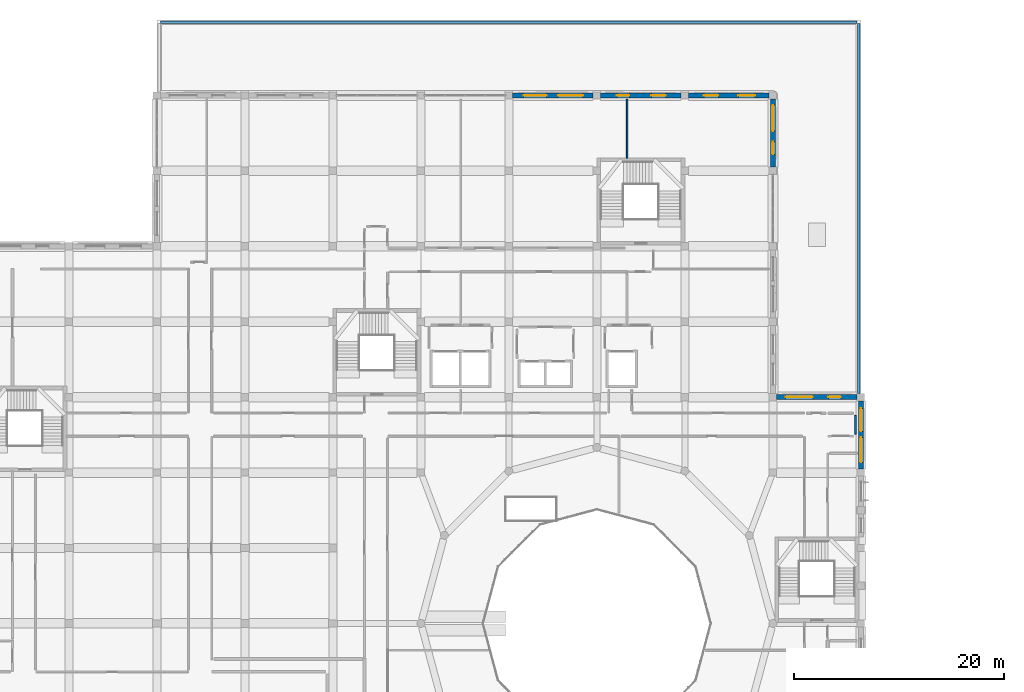
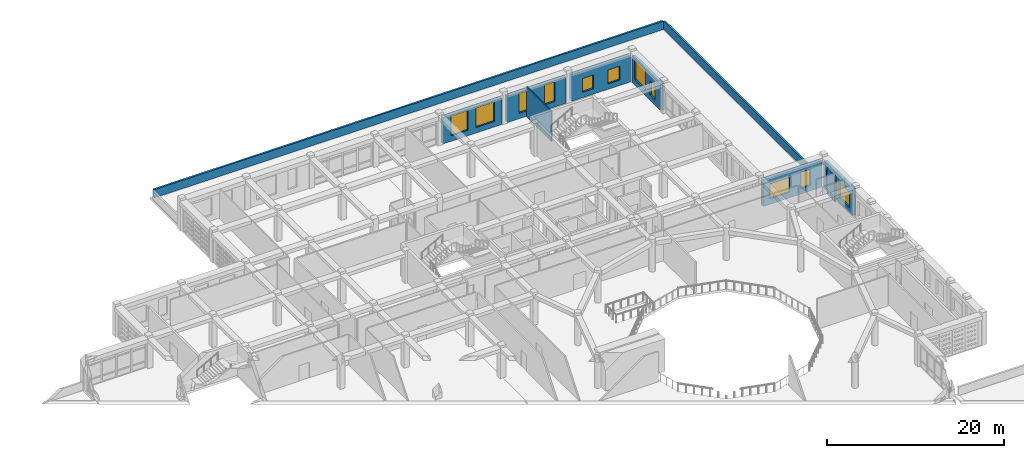
# One storey, part 65 of 100: 12 windows, 10 walls, 12 openings.
"""IFC4 building model written with IfcOpenShell, lengths in metres."""

from ifc_helpers import new_model, si_unit, derived_unit, direction, frame, frame_2d, origin, place, context, subcontext, project, spatial, rectangle, extrude, material, layer, layer_set, type_object, element, fill, save


model = new_model("IFC4")

# Units and contexts
model_context = context("Model", 3, precision=1e-05, world=origin(), true_north=direction((0.0, 1.0)))
body_context = subcontext(model_context, "Body", "Model", "MODEL_VIEW")
ifc_project = project(units=[si_unit("LENGTHUNIT", "METRE"), si_unit("AREAUNIT", "SQUARE_METRE"), si_unit("VOLUMEUNIT", "CUBIC_METRE"), si_unit("PLANEANGLEUNIT", "RADIAN"), si_unit("MASSUNIT", "GRAM", prefix="KILO"), derived_unit("THERMALTRANSMITTANCEUNIT", [(si_unit("POWERUNIT", "WATT"), 1), (si_unit("LENGTHUNIT", "METRE"), -2), (si_unit("THERMODYNAMICTEMPERATUREUNIT", "KELVIN"), -1)])], contexts=[model_context])

# Site, building, storey
site_placement = place(None, origin())
site = spatial("IfcSite", under=ifc_project, at=site_placement, CompositionType="ELEMENT")
building_placement = place(site_placement, origin())
building = spatial("IfcBuilding", under=site, at=building_placement, Name="Veybourne Emporium", CompositionType="ELEMENT")
storey_placement = place(building_placement, frame((0.0, 0.0, 14.39990234375)))
storey = spatial("IfcBuildingStorey", under=building, at=storey_placement, Name="L03", CompositionType="ELEMENT", Elevation=14.39990234375)

# Wall, openings, windows
ifc_material_1 = material(Name="Portland Limestone Ashlar", Category="masonry")
ifc_layer_1 = layer(ifc_material_1, 0.47998046875)
ifc_layer_set_1 = layer_set([ifc_layer_1], Name="Portland Limestone Ashlar")
wall_type_1 = type_object("IfcWallType", Name="ExtWall_EW-01", PredefinedType="SOLIDWALL", material=ifc_layer_set_1)
wall_1_placement = place(storey_placement, frame((67.550048828125, 100.800048828125, 0.0), z_axis=(0.0, 0.0, 1.0), x_axis=(1.0, 0.0, 0.0)))
wall_1 = element("IfcWall", 1, at=wall_1_placement, inside=storey, type_object=wall_type_1, Name="L03 Portland stone external wall 038", PredefinedType="SOLIDWALL", context=body_context, shape_type="SweptSolid", body=[
    extrude(rectangle(XDim=7.699951171875, YDim=0.47998046875, at=frame_2d((3.85009765625, 0.0))), origin(), (0.0, 0.0, 1.0), 3.630126953125),
])
opening_1_placement = place(wall_1_placement, frame((1.055908203125, 0.0, 0.75)))
opening_1 = element("IfcOpeningElement", 2, at=opening_1_placement, cuts=wall_1, Name="Opening W-46", PredefinedType="OPENING", context=body_context, shape_type="SweptSolid", body=[
    extrude(rectangle(XDim=2.199951171875, YDim=2.72998046875, at=frame_2d((1.10009765625, 1.364990234375))), frame((0.0, 0.260009765625, 0.0), z_axis=(0.0, -1.0, 0.0), x_axis=(1.0, 0.0, 0.0)), (0.0, 0.0, 1.0), 0.52001953125),
])
opening_2_placement = place(wall_1_placement, frame((4.343994140625, 0.0, 0.75)))
opening_2 = element("IfcOpeningElement", 3, at=opening_2_placement, cuts=wall_1, Name="Opening W-47", PredefinedType="OPENING", context=body_context, shape_type="SweptSolid", body=[
    extrude(rectangle(XDim=2.39990234375, YDim=2.72998046875, at=frame_2d((1.199951171875, 1.364990234375))), frame((0.0, 0.260009765625, 0.0), z_axis=(0.0, -1.0, 0.0), x_axis=(1.0, 0.0, 0.0)), (0.0, 0.0, 1.0), 0.52001953125),
])
ifc_material_2 = material(Name="Low-E Triple Glazing", Category="glass")
window_type_1 = type_object("IfcWindowType", Name="Win_W-46", PartitioningType="TRIPLE_PANEL_VERTICAL", PredefinedType="WINDOW", material=ifc_material_2)
window_1_placement = place(opening_1_placement, origin())
window_1 = element("IfcWindow", 4, at=window_1_placement, inside=storey, type_object=window_type_1, Name="L03 tripartite bronze casement window W-46 (38.1)", OverallHeight=2.72998046875, OverallWidth=2.199951171875, PartitioningType="TRIPLE_PANEL_VERTICAL", PredefinedType="WINDOW", context=body_context, shape_type="SweptSolid", body=[
    extrude(rectangle(XDim=2.199951171875, YDim=2.72998046875, at=frame_2d((1.10009765625, 1.364990234375))), frame((0.0, 0.030029296875, 0.0), z_axis=(0.0, -1.0, 0.0), x_axis=(1.0, 0.0, 0.0)), (0.0, 0.0, 1.0), 0.06005859375),
])
fill(opening_1, window_1)
window_type_2 = type_object("IfcWindowType", Name="Win_W-47", PartitioningType="TRIPLE_PANEL_VERTICAL", PredefinedType="WINDOW", material=ifc_material_2)
window_2_placement = place(opening_2_placement, origin())
window_2 = element("IfcWindow", 5, at=window_2_placement, inside=storey, type_object=window_type_2, Name="L03 tripartite bronze casement window W-47 (38.2)", OverallHeight=2.72998046875, OverallWidth=2.39990234375, PartitioningType="TRIPLE_PANEL_VERTICAL", PredefinedType="WINDOW", context=body_context, shape_type="SweptSolid", body=[
    extrude(rectangle(XDim=2.39990234375, YDim=2.72998046875, at=frame_2d((1.199951171875, 1.364990234375))), frame((0.0, 0.030029296875, 0.0), z_axis=(0.0, -1.0, 0.0), x_axis=(1.0, 0.0, 0.0)), (0.0, 0.0, 1.0), 0.06005859375),
])
fill(opening_2, window_2)

wall_2_placement = place(storey_placement, frame((75.949951171875, 100.800048828125, 0.0), z_axis=(0.0, 0.0, 1.0), x_axis=(1.0, 0.0, 0.0)))
wall_2 = element("IfcWall", 6, at=wall_2_placement, inside=storey, type_object=wall_type_1, Name="L03 Portland stone external wall 040", PredefinedType="SOLIDWALL", context=body_context, shape_type="SweptSolid", body=[
    extrude(rectangle(XDim=7.699951171875, YDim=0.47998046875, at=frame_2d((3.85009765625, 0.0))), origin(), (0.0, 0.0, 1.0), 3.630126953125),
])
opening_3_placement = place(wall_2_placement, frame((1.555908203125, 0.0, 0.75)))
opening_3 = element("IfcOpeningElement", 7, at=opening_3_placement, cuts=wall_2, Name="Opening W-49", PredefinedType="OPENING", context=body_context, shape_type="SweptSolid", body=[
    extrude(rectangle(XDim=1.199951171875, YDim=2.72998046875, at=frame_2d((0.60009765625, 1.364990234375))), frame((0.0, 0.260009765625, 0.0), z_axis=(0.0, -1.0, 0.0), x_axis=(1.0, 0.0, 0.0)), (0.0, 0.0, 1.0), 0.52001953125),
])
opening_4_placement = place(wall_2_placement, frame((4.843994140625, 0.0, 0.75)))
opening_4 = element("IfcOpeningElement", 8, at=opening_4_placement, cuts=wall_2, Name="Opening W-50", PredefinedType="OPENING", context=body_context, shape_type="SweptSolid", body=[
    extrude(rectangle(XDim=1.39990234375, YDim=2.72998046875, at=frame_2d((0.699951171875, 1.364990234375))), frame((0.0, 0.260009765625, 0.0), z_axis=(0.0, -1.0, 0.0), x_axis=(1.0, 0.0, 0.0)), (0.0, 0.0, 1.0), 0.52001953125),
])
window_type_3 = type_object("IfcWindowType", Name="Win_W-49", PartitioningType="SINGLE_PANEL", PredefinedType="WINDOW", material=ifc_material_2)
window_3_placement = place(opening_3_placement, origin())
window_3 = element("IfcWindow", 9, at=window_3_placement, inside=storey, type_object=window_type_3, Name="L03 tripartite bronze casement window W-49 (40.1)", OverallHeight=2.72998046875, OverallWidth=1.199951171875, PartitioningType="SINGLE_PANEL", PredefinedType="WINDOW", context=body_context, shape_type="SweptSolid", body=[
    extrude(rectangle(XDim=1.199951171875, YDim=2.72998046875, at=frame_2d((0.60009765625, 1.364990234375))), frame((0.0, 0.030029296875, 0.0), z_axis=(0.0, -1.0, 0.0), x_axis=(1.0, 0.0, 0.0)), (0.0, 0.0, 1.0), 0.06005859375),
])
fill(opening_3, window_3)
window_type_4 = type_object("IfcWindowType", Name="Win_W-50", PartitioningType="DOUBLE_PANEL_VERTICAL", PredefinedType="WINDOW", material=ifc_material_2)
window_4_placement = place(opening_4_placement, origin())
window_4 = element("IfcWindow", 10, at=window_4_placement, inside=storey, type_object=window_type_4, Name="L03 tripartite bronze casement window W-50 (40.2)", OverallHeight=2.72998046875, OverallWidth=1.39990234375, PartitioningType="DOUBLE_PANEL_VERTICAL", PredefinedType="WINDOW", context=body_context, shape_type="SweptSolid", body=[
    extrude(rectangle(XDim=1.39990234375, YDim=2.72998046875, at=frame_2d((0.699951171875, 1.364990234375))), frame((0.0, 0.030029296875, 0.0), z_axis=(0.0, -1.0, 0.0), x_axis=(1.0, 0.0, 0.0)), (0.0, 0.0, 1.0), 0.06005859375),
])
fill(opening_4, window_4)

wall_3_placement = place(storey_placement, frame((92.39990234375, 100.449951171875, 0.0), z_axis=(0.0, 0.0, 1.0), x_axis=(0.0, -1.0, 0.0)))
wall_3 = element("IfcWall", 11, at=wall_3_placement, inside=storey, type_object=wall_type_1, Name="L03 Portland stone external wall 046", PredefinedType="SOLIDWALL", context=body_context, shape_type="SweptSolid", body=[
    extrude(rectangle(XDim=6.5, YDim=0.47998046875, at=frame_2d((3.25, 0.0))), origin(), (0.0, 0.0, 1.0), 3.630126953125),
])
opening_5_placement = place(wall_3_placement, frame((0.5849609375, 0.0, 0.75)))
opening_5 = element("IfcOpeningElement", 12, at=opening_5_placement, cuts=wall_3, Name="Opening W-56", PredefinedType="OPENING", context=body_context, shape_type="SweptSolid", body=[
    extrude(rectangle(XDim=2.469970703125, YDim=2.72998046875, at=frame_2d((1.23486328125, 1.364990234375))), frame((0.0, 0.260009765625, 0.0), z_axis=(0.0, -1.0, 0.0), x_axis=(1.0, 0.0, 0.0)), (0.0, 0.0, 1.0), 0.52001953125),
])
opening_6_placement = place(wall_3_placement, frame((4.080078125, 0.0, 0.75)))
opening_6 = element("IfcOpeningElement", 13, at=opening_6_placement, cuts=wall_3, Name="Opening W-01", PredefinedType="OPENING", context=body_context, shape_type="SweptSolid", body=[
    extrude(rectangle(XDim=1.199951171875, YDim=1.89990234375, at=frame_2d((0.60009765625, 0.949951171875))), frame((0.0, 0.260009765625, 0.0), z_axis=(0.0, -1.0, 0.0), x_axis=(1.0, 0.0, 0.0)), (0.0, 0.0, 1.0), 0.52001953125),
])
window_type_5 = type_object("IfcWindowType", Name="Win_W-01", PartitioningType="SINGLE_PANEL", PredefinedType="WINDOW", material=ifc_material_2)
window_5_placement = place(opening_6_placement, origin())
window_5 = element("IfcWindow", 14, at=window_5_placement, inside=storey, type_object=window_type_5, Name="L03 tripartite bronze casement window W-01 (46.2)", OverallHeight=1.89990234375, OverallWidth=1.199951171875, PartitioningType="SINGLE_PANEL", PredefinedType="WINDOW", context=body_context, shape_type="SweptSolid", body=[
    extrude(rectangle(XDim=1.199951171875, YDim=1.89990234375, at=frame_2d((0.60009765625, 0.949951171875))), frame((0.0, 0.030029296875, 0.0), z_axis=(0.0, -1.0, 0.0), x_axis=(1.0, 0.0, 0.0)), (0.0, 0.0, 1.0), 0.06005859375),
])
fill(opening_6, window_5)
window_type_6 = type_object("IfcWindowType", Name="Win_W-56", PartitioningType="TRIPLE_PANEL_VERTICAL", PredefinedType="WINDOW", material=ifc_material_2)
window_6_placement = place(opening_5_placement, origin())
window_6 = element("IfcWindow", 15, at=window_6_placement, inside=storey, type_object=window_type_6, Name="L03 tripartite bronze casement window W-56 (46.1)", OverallHeight=2.72998046875, OverallWidth=2.469970703125, PartitioningType="TRIPLE_PANEL_VERTICAL", PredefinedType="WINDOW", context=body_context, shape_type="SweptSolid", body=[
    extrude(rectangle(XDim=2.469970703125, YDim=2.72998046875, at=frame_2d((1.23486328125, 1.364990234375))), frame((0.0, 0.030029296875, 0.0), z_axis=(0.0, -1.0, 0.0), x_axis=(1.0, 0.0, 0.0)), (0.0, 0.0, 1.0), 0.06005859375),
])
fill(opening_5, window_6)

wall_4_placement = place(storey_placement, frame((84.35009765625, 100.800048828125, 0.0), z_axis=(0.0, 0.0, 1.0), x_axis=(1.0, 0.0, 0.0)))
wall_4 = element("IfcWall", 16, at=wall_4_placement, inside=storey, type_object=wall_type_1, Name="L03 Portland stone external wall 047", PredefinedType="SOLIDWALL", context=body_context, shape_type="SweptSolid", body=[
    extrude(rectangle(XDim=7.699951171875, YDim=0.47998046875, at=frame_2d((3.85009765625, 0.0))), origin(), (0.0, 0.0, 1.0), 3.630126953125),
])
opening_7_placement = place(wall_4_placement, frame((1.4560546875, 0.0, 0.75)))
opening_7 = element("IfcOpeningElement", 17, at=opening_7_placement, cuts=wall_4, Name="Opening W-02", PredefinedType="OPENING", context=body_context, shape_type="SweptSolid", body=[
    extrude(rectangle(XDim=1.39990234375, YDim=1.89990234375, at=frame_2d((0.699951171875, 0.949951171875))), frame((0.0, 0.260009765625, 0.0), z_axis=(0.0, -1.0, 0.0), x_axis=(1.0, 0.0, 0.0)), (0.0, 0.0, 1.0), 0.52001953125),
])
opening_8_placement = place(wall_4_placement, frame((4.743896484375, 0.0, 0.75)))
opening_8 = element("IfcOpeningElement", 18, at=opening_8_placement, cuts=wall_4, Name="Opening W-03", PredefinedType="OPENING", context=body_context, shape_type="SweptSolid", body=[
    extrude(rectangle(XDim=1.60009765625, YDim=1.89990234375, at=frame_2d((0.800048828125, 0.949951171875))), frame((0.0, 0.260009765625, 0.0), z_axis=(0.0, -1.0, 0.0), x_axis=(1.0, 0.0, 0.0)), (0.0, 0.0, 1.0), 0.52001953125),
])
window_type_7 = type_object("IfcWindowType", Name="Win_W-02", PartitioningType="DOUBLE_PANEL_VERTICAL", PredefinedType="WINDOW", material=ifc_material_2)
window_7_placement = place(opening_7_placement, origin())
window_7 = element("IfcWindow", 19, at=window_7_placement, inside=storey, type_object=window_type_7, Name="L03 tripartite bronze casement window W-02 (47.1)", OverallHeight=1.89990234375, OverallWidth=1.39990234375, PartitioningType="DOUBLE_PANEL_VERTICAL", PredefinedType="WINDOW", context=body_context, shape_type="SweptSolid", body=[
    extrude(rectangle(XDim=1.39990234375, YDim=1.89990234375, at=frame_2d((0.699951171875, 0.949951171875))), frame((0.0, 0.030029296875, 0.0), z_axis=(0.0, -1.0, 0.0), x_axis=(1.0, 0.0, 0.0)), (0.0, 0.0, 1.0), 0.06005859375),
])
fill(opening_7, window_7)
window_type_8 = type_object("IfcWindowType", Name="Win_W-03", PartitioningType="DOUBLE_PANEL_VERTICAL", PredefinedType="WINDOW", material=ifc_material_2)
window_8_placement = place(opening_8_placement, origin())
window_8 = element("IfcWindow", 20, at=window_8_placement, inside=storey, type_object=window_type_8, Name="L03 tripartite bronze casement window W-03 (47.2)", OverallHeight=1.89990234375, OverallWidth=1.60009765625, PartitioningType="DOUBLE_PANEL_VERTICAL", PredefinedType="WINDOW", context=body_context, shape_type="SweptSolid", body=[
    extrude(rectangle(XDim=1.60009765625, YDim=1.89990234375, at=frame_2d((0.800048828125, 0.949951171875))), frame((0.0, 0.030029296875, 0.0), z_axis=(0.0, -1.0, 0.0), x_axis=(1.0, 0.0, 0.0)), (0.0, 0.0, 1.0), 0.06005859375),
])
fill(opening_8, window_8)

wall_5_placement = place(storey_placement, frame((100.800048828125, 71.64990234375, 0.0), z_axis=(0.0, 0.0, 1.0), x_axis=(0.0, -1.0, 0.0)))
wall_5 = element("IfcWall", 21, at=wall_5_placement, inside=storey, type_object=wall_type_1, Name="L03 Portland stone external wall 058", PredefinedType="SOLIDWALL", context=body_context, shape_type="SweptSolid", body=[
    extrude(rectangle(XDim=6.5, YDim=0.47998046875, at=frame_2d((3.25, 0.0))), origin(), (0.0, 0.0, 1.0), 3.630126953125),
])
opening_9_placement = place(wall_5_placement, frame((0.719970703125, 0.0, 0.75)))
opening_9 = element("IfcOpeningElement", 22, at=opening_9_placement, cuts=wall_5, Name="Opening W-14", PredefinedType="OPENING", context=body_context, shape_type="SweptSolid", body=[
    extrude(rectangle(XDim=2.199951171875, YDim=2.080078125, at=frame_2d((1.10009765625, 1.0400390625))), frame((0.0, 0.260009765625, 0.0), z_axis=(0.0, -1.0, 0.0), x_axis=(1.0, 0.0, 0.0)), (0.0, 0.0, 1.0), 0.52001953125),
])
opening_10_placement = place(wall_5_placement, frame((3.47998046875, 0.0, 0.75)))
opening_10 = element("IfcOpeningElement", 23, at=opening_10_placement, cuts=wall_5, Name="Opening W-15", PredefinedType="OPENING", context=body_context, shape_type="SweptSolid", body=[
    extrude(rectangle(XDim=2.39990234375, YDim=2.080078125, at=frame_2d((1.199951171875, 1.0400390625))), frame((0.0, 0.260009765625, 0.0), z_axis=(0.0, -1.0, 0.0), x_axis=(1.0, 0.0, 0.0)), (0.0, 0.0, 1.0), 0.52001953125),
])
window_type_9 = type_object("IfcWindowType", Name="Win_W-14", PartitioningType="TRIPLE_PANEL_VERTICAL", PredefinedType="WINDOW", material=ifc_material_2)
window_9_placement = place(opening_9_placement, origin())
window_9 = element("IfcWindow", 24, at=window_9_placement, inside=storey, type_object=window_type_9, Name="L03 tripartite bronze casement window W-14 (58.1)", OverallHeight=2.080078125, OverallWidth=2.199951171875, PartitioningType="TRIPLE_PANEL_VERTICAL", PredefinedType="WINDOW", context=body_context, shape_type="SweptSolid", body=[
    extrude(rectangle(XDim=2.199951171875, YDim=2.080078125, at=frame_2d((1.10009765625, 1.0400390625))), frame((0.0, 0.030029296875, 0.0), z_axis=(0.0, -1.0, 0.0), x_axis=(1.0, 0.0, 0.0)), (0.0, 0.0, 1.0), 0.06005859375),
])
fill(opening_9, window_9)
window_type_10 = type_object("IfcWindowType", Name="Win_W-15", PartitioningType="TRIPLE_PANEL_VERTICAL", PredefinedType="WINDOW", material=ifc_material_2)
window_10_placement = place(opening_10_placement, origin())
window_10 = element("IfcWindow", 25, at=window_10_placement, inside=storey, type_object=window_type_10, Name="L03 tripartite bronze casement window W-15 (58.2)", OverallHeight=2.080078125, OverallWidth=2.39990234375, PartitioningType="TRIPLE_PANEL_VERTICAL", PredefinedType="WINDOW", context=body_context, shape_type="SweptSolid", body=[
    extrude(rectangle(XDim=2.39990234375, YDim=2.080078125, at=frame_2d((1.199951171875, 1.0400390625))), frame((0.0, 0.030029296875, 0.0), z_axis=(0.0, -1.0, 0.0), x_axis=(1.0, 0.0, 0.0)), (0.0, 0.0, 1.0), 0.06005859375),
])
fill(opening_10, window_10)

wall_6_placement = place(storey_placement, frame((92.75, 72.0, 0.0), z_axis=(0.0, 0.0, 1.0), x_axis=(1.0, 0.0, 0.0)))
wall_6 = element("IfcWall", 26, at=wall_6_placement, inside=storey, type_object=wall_type_1, Name="L03 Portland stone external wall 059", PredefinedType="SOLIDWALL", context=body_context, shape_type="SweptSolid", body=[
    extrude(rectangle(XDim=7.699951171875, YDim=0.47998046875, at=frame_2d((3.85009765625, 0.0))), origin(), (0.0, 0.0, 1.0), 3.630126953125),
])
opening_11_placement = place(wall_6_placement, frame((0.85595703125, 0.0, 0.75)))
opening_11 = element("IfcOpeningElement", 27, at=opening_11_placement, cuts=wall_6, Name="Opening W-16", PredefinedType="OPENING", context=body_context, shape_type="SweptSolid", body=[
    extrude(rectangle(XDim=2.60009765625, YDim=2.080078125, at=frame_2d((1.300048828125, 1.0400390625))), frame((0.0, 0.260009765625, 0.0), z_axis=(0.0, -1.0, 0.0), x_axis=(1.0, 0.0, 0.0)), (0.0, 0.0, 1.0), 0.52001953125),
])
opening_12_placement = place(wall_6_placement, frame((4.944091796875, 0.0, 0.75)))
opening_12 = element("IfcOpeningElement", 28, at=opening_12_placement, cuts=wall_6, Name="Opening W-17", PredefinedType="OPENING", context=body_context, shape_type="SweptSolid", body=[
    extrude(rectangle(XDim=1.199951171875, YDim=2.260009765625, at=frame_2d((0.60009765625, 1.1298828125))), frame((0.0, 0.260009765625, 0.0), z_axis=(0.0, -1.0, 0.0), x_axis=(1.0, 0.0, 0.0)), (0.0, 0.0, 1.0), 0.52001953125),
])
window_type_11 = type_object("IfcWindowType", Name="Win_W-16", PartitioningType="TRIPLE_PANEL_VERTICAL", PredefinedType="WINDOW", material=ifc_material_2)
window_11_placement = place(opening_11_placement, origin())
window_11 = element("IfcWindow", 29, at=window_11_placement, inside=storey, type_object=window_type_11, Name="L03 tripartite bronze casement window W-16 (59.1)", OverallHeight=2.080078125, OverallWidth=2.60009765625, PartitioningType="TRIPLE_PANEL_VERTICAL", PredefinedType="WINDOW", context=body_context, shape_type="SweptSolid", body=[
    extrude(rectangle(XDim=2.60009765625, YDim=2.080078125, at=frame_2d((1.300048828125, 1.0400390625))), frame((0.0, 0.030029296875, 0.0), z_axis=(0.0, -1.0, 0.0), x_axis=(1.0, 0.0, 0.0)), (0.0, 0.0, 1.0), 0.06005859375),
])
fill(opening_11, window_11)
window_type_12 = type_object("IfcWindowType", Name="Win_W-17", PartitioningType="SINGLE_PANEL", PredefinedType="WINDOW", material=ifc_material_2)
window_12_placement = place(opening_12_placement, origin())
window_12 = element("IfcWindow", 30, at=window_12_placement, inside=storey, type_object=window_type_12, Name="L03 tripartite bronze casement window W-17 (59.2)", OverallHeight=2.260009765625, OverallWidth=1.199951171875, PartitioningType="SINGLE_PANEL", PredefinedType="WINDOW", context=body_context, shape_type="SweptSolid", body=[
    extrude(rectangle(XDim=1.199951171875, YDim=2.260009765625, at=frame_2d((0.60009765625, 1.1298828125))), frame((0.0, 0.030029296875, 0.0), z_axis=(0.0, -1.0, 0.0), x_axis=(1.0, 0.0, 0.0)), (0.0, 0.0, 1.0), 0.06005859375),
])
fill(opening_12, window_12)

# Walls
ifc_material_3 = material(Name="Precast concrete C40/50", Category="concrete")
ifc_layer_2 = layer(ifc_material_3, 0.239990234375)
ifc_layer_set_2 = layer_set([ifc_layer_2], Name="Precast concrete C40/50")
wall_type_2 = type_object("IfcWallType", Name="ExtWall_PW-02", PredefinedType="PARAPET", material=ifc_layer_set_2)
wall_7_placement = place(storey_placement, frame((33.949951171875, 107.780029296875, 0.0), z_axis=(0.0, 0.0, 1.0), x_axis=(1.0, 0.0, 0.0)))
element("IfcWall", 31, at=wall_7_placement, inside=storey, type_object=wall_type_2, Name="L03 roof parapet wall 005", PredefinedType="PARAPET", context=body_context, shape_type="SweptSolid", body=[
    extrude(rectangle(XDim=66.5, YDim=0.239990234375, at=frame_2d((33.25, 0.0))), origin(), (0.0, 0.0, 1.0), 1.150146484375),
])
wall_8_placement = place(storey_placement, frame((100.580078125, 107.64990234375, 0.0), z_axis=(0.0, 0.0, 1.0), x_axis=(0.0, -1.0, 0.0)))
element("IfcWall", 32, at=wall_8_placement, inside=storey, type_object=wall_type_2, Name="L03 roof parapet wall 006", PredefinedType="PARAPET", context=body_context, shape_type="SweptSolid", body=[
    extrude(rectangle(XDim=35.2998046875, YDim=0.239990234375, at=frame_2d((17.64990234375, 0.0))), origin(), (0.0, 0.0, 1.0), 1.150146484375),
])
ifc_material_4 = material(Name="Gypsum Acoustic Board", Category="gypsum")
ifc_layer_3 = layer(ifc_material_4, 0.179931640625)
ifc_layer_set_3 = layer_set([ifc_layer_3], Name="Gypsum Acoustic Board")
wall_type_3 = type_object("IfcWallType", Name="IntWall_IW-01", PredefinedType="PARTITIONING", material=ifc_layer_set_3)
wall_9_placement = place(storey_placement, frame((100.280029296875, 68.47998046875, 0.0), z_axis=(0.0, 0.0, 1.0), x_axis=(0.0, 1.0, 0.0)))
element("IfcWall", 33, at=wall_9_placement, inside=storey, type_object=wall_type_3, Name="L03 interior partition IW-01 #110", PredefinedType="PARTITIONING", context=body_context, shape_type="SweptSolid", body=[
    extrude(rectangle(XDim=1.7900390625, YDim=0.179931640625, at=frame_2d((0.89501953125, 0.0))), origin(), (0.0, 0.0, 1.0), 3.630126953125),
])
ifc_layer_4 = layer(ifc_material_4, 0.14990234375)
ifc_layer_set_4 = layer_set([ifc_layer_4], Name="Gypsum Acoustic Board")
wall_type_4 = type_object("IfcWallType", Name="IntWall_IW-02", PredefinedType="PARTITIONING", material=ifc_layer_set_4)
wall_10_placement = place(storey_placement, frame((78.47607421875, 94.7900390625, 0.0), z_axis=(0.0, 0.0, 1.0), x_axis=(0.0, 1.0, 0.0)))
element("IfcWall", 34, at=wall_10_placement, inside=storey, type_object=wall_type_4, Name="L03 interior partition IW-02 #138", PredefinedType="PARTITIONING", context=body_context, shape_type="SweptSolid", body=[
    extrude(rectangle(XDim=5.639892578125, YDim=0.14990234375, at=frame_2d((2.81982421875, 0.0))), origin(), (0.0, 0.0, 1.0), 4.18017578125),
])

save(model, "model.ifc")
